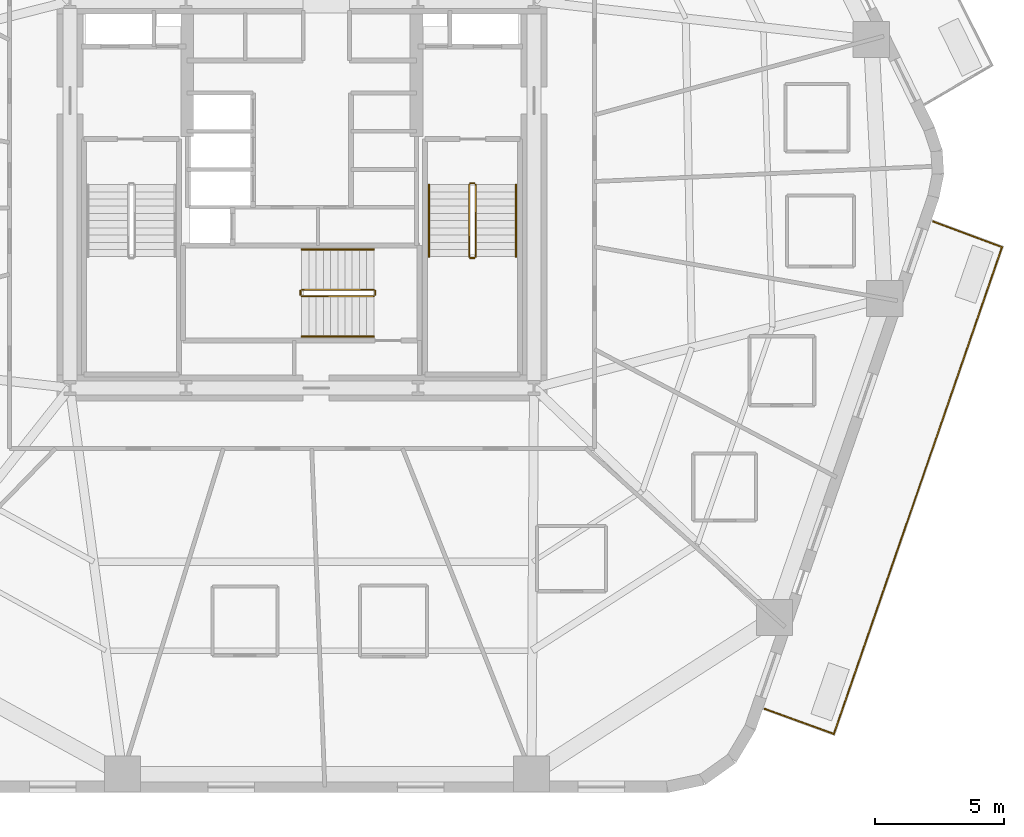
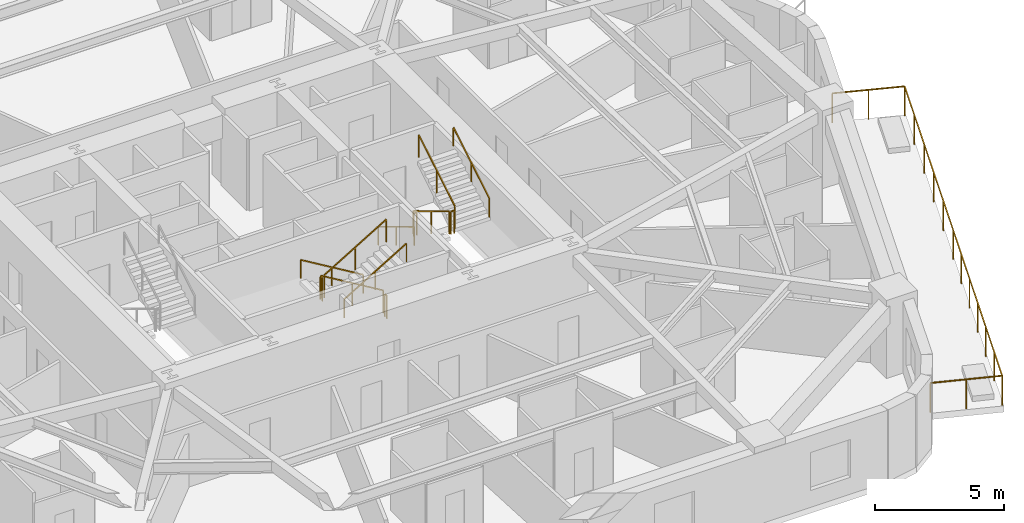
# One storey, part 9 of 10: 13 railings.
"""IFC4 building model written with IfcOpenShell, lengths in metres."""

from ifc_helpers import new_model, si_unit, direction, frame, origin, origin_2d, place, context, subcontext, project, spatial, rectangle, extrude, material, layer, layer_set, type_object, element, save


model = new_model("IFC4")

# Units and contexts
model_context = context("Model", 3, precision=1e-05, world=origin(), true_north=direction((0.0, 1.0)))
body_context = subcontext(model_context, "Body", "Model", "MODEL_VIEW")
ifc_project = project(units=[si_unit("LENGTHUNIT", "METRE"), si_unit("AREAUNIT", "SQUARE_METRE"), si_unit("VOLUMEUNIT", "CUBIC_METRE"), si_unit("PLANEANGLEUNIT", "RADIAN"), si_unit("MASSUNIT", "GRAM", prefix="KILO")], contexts=[model_context])

# Site, building, storey
site_placement = place(None, origin())
site = spatial("IfcSite", under=ifc_project, at=site_placement, CompositionType="ELEMENT")
building_placement = place(site_placement, origin())
building = spatial("IfcBuilding", under=site, at=building_placement, Name="Kilnhurst Terrace Hotel", CompositionType="ELEMENT")
storey_placement = place(building_placement, frame((0.0, 0.0, 45.300048828125)))
storey = spatial("IfcBuildingStorey", under=building, at=storey_placement, Name="L09", CompositionType="ELEMENT", Elevation=45.300048828125)

# Railings
ifc_material_1 = material(Name="Laminated SentryGlas and Stainless Steel AISI 316L Balustrade", Category="steel")
ifc_layer_1 = layer(ifc_material_1, 0.070068359375, Name="Laminated SentryGlas and Stainless Steel AISI 316L Balustrade")
ifc_layer_set_1 = layer_set([ifc_layer_1], Name="Laminated SentryGlas and Stainless Steel AISI 316L Balustrade")
railing_type_1 = type_object("IfcRailingType", Name="RLG-BAL-1420", PredefinedType="BALUSTRADE", material=ifc_layer_set_1)
railing_1_placement = place(storey_placement, frame((24.485107421875, -1.041748046875, 0.0)))
element("IfcRailing", 1, at=railing_1_placement, inside=storey, type_object=railing_type_1, Name="L09 Exterior Terrace Guardrail BAL-L1A.1", PredefinedType="BALUSTRADE", context=body_context, shape_type="SweptSolid", body=[
    extrude(rectangle(XDim=0.048095703125, YDim=0.048095703125, at=origin_2d()), frame((0.0, 0.0, 1.39599609375), z_axis=(0.937279097592, -0.348579823308, 0.0), x_axis=(0.348579823308, 0.937279097592, 0.0)), (0.0, 0.0, 1.0), 2.85205078125),
    extrude(rectangle(XDim=0.048095703125, YDim=0.048095703125, at=origin_2d()), frame((2.673095703125, -0.994140625, 1.39599609375), z_axis=(-0.326159116329, -0.945314884488, 0.0), x_axis=(0.945314884488, -0.326159116329, 0.0)), (0.0, 0.0, 1.0), 9.91650390625),
    extrude(rectangle(XDim=0.048095703125, YDim=0.048095703125, at=origin_2d()), frame((-0.561279296875, -10.368408203125, 1.39599609375), z_axis=(-0.326903959129, -0.945057565181, 0.0), x_axis=(0.945057565181, -0.326903959129, 0.0)), (0.0, 0.0, 1.0), 10.065673828125),
    extrude(rectangle(XDim=0.048095703125, YDim=0.048095703125, at=origin_2d()), frame((-3.851806640625, -19.881103515625, 1.39599609375), z_axis=(-0.939926315563, 0.341377388402, 0.0), x_axis=(-0.341377388402, -0.939926315563, 0.0)), (0.0, 0.0, 1.0), 2.84130859375),
    extrude(rectangle(XDim=0.0419921875, YDim=0.0419921875, at=origin_2d()), origin(), (0.0, 0.0, 1.0), 1.371826171875),
    extrude(rectangle(XDim=0.0419921875, YDim=0.0419921875, at=origin_2d()), frame((1.33642578125, -0.4970703125, 0.0)), (0.0, 0.0, 1.0), 1.371826171875),
    extrude(rectangle(XDim=0.0419921875, YDim=0.0419921875, at=origin_2d()), frame((2.673095703125, -0.994140625, 0.0)), (0.0, 0.0, 1.0), 1.371826171875),
    extrude(rectangle(XDim=0.0419921875, YDim=0.0419921875, at=origin_2d()), frame((2.026123046875, -2.868896484375, 0.0)), (0.0, 0.0, 1.0), 1.371826171875),
    extrude(rectangle(XDim=0.0419921875, YDim=0.0419921875, at=origin_2d()), frame((1.37939453125, -4.743896484375, 0.0)), (0.0, 0.0, 1.0), 1.371826171875),
    extrude(rectangle(XDim=0.0419921875, YDim=0.0419921875, at=origin_2d()), frame((0.732421875, -6.61865234375, 0.0)), (0.0, 0.0, 1.0), 1.371826171875),
    extrude(rectangle(XDim=0.0419921875, YDim=0.0419921875, at=origin_2d()), frame((0.085693359375, -8.49365234375, 0.0)), (0.0, 0.0, 1.0), 1.371826171875),
    extrude(rectangle(XDim=0.0419921875, YDim=0.0419921875, at=origin_2d()), frame((-0.561279296875, -10.368408203125, 0.0)), (0.0, 0.0, 1.0), 1.371826171875),
    extrude(rectangle(XDim=0.0419921875, YDim=0.0419921875, at=origin_2d()), frame((-1.109619140625, -11.953857421875, 0.0)), (0.0, 0.0, 1.0), 1.371826171875),
    extrude(rectangle(XDim=0.0419921875, YDim=0.0419921875, at=origin_2d()), frame((-1.658203125, -13.539306640625, 0.0)), (0.0, 0.0, 1.0), 1.371826171875),
    extrude(rectangle(XDim=0.0419921875, YDim=0.0419921875, at=origin_2d()), frame((-2.20654296875, -15.124755859375, 0.0)), (0.0, 0.0, 1.0), 1.371826171875),
    extrude(rectangle(XDim=0.0419921875, YDim=0.0419921875, at=origin_2d()), frame((-2.7548828125, -16.710205078125, 0.0)), (0.0, 0.0, 1.0), 1.371826171875),
    extrude(rectangle(XDim=0.0419921875, YDim=0.0419921875, at=origin_2d()), frame((-3.303466796875, -18.295654296875, 0.0)), (0.0, 0.0, 1.0), 1.371826171875),
    extrude(rectangle(XDim=0.0419921875, YDim=0.0419921875, at=origin_2d()), frame((-3.851806640625, -19.881103515625, 0.0)), (0.0, 0.0, 1.0), 1.371826171875),
    extrude(rectangle(XDim=0.0419921875, YDim=0.0419921875, at=origin_2d()), frame((-5.18701171875, -19.39599609375, 0.0)), (0.0, 0.0, 1.0), 1.371826171875),
    extrude(rectangle(XDim=0.0419921875, YDim=0.0419921875, at=origin_2d()), frame((-6.5224609375, -18.9111328125, 0.0)), (0.0, 0.0, 1.0), 1.371826171875),
])
ifc_material_2 = material(Name="Powder-Coated Steel ASTM A500 Grade B", Category="steel")
ifc_layer_2 = layer(ifc_material_2, 0.050048828125, Name="Powder-Coated Steel ASTM A500 Grade B")
ifc_layer_set_2 = layer_set([ifc_layer_2], Name="Powder-Coated Steel ASTM A500 Grade B")
railing_type_2 = type_object("IfcRailingType", Name="RLG-ST-GRD-1100", PredefinedType="GUARDRAIL", material=ifc_layer_set_2)
railing_2_placement = place(storey_placement, frame((6.489990234375, 0.389892578125, 0.168212890625)))
element("IfcRailing", 2, at=railing_2_placement, inside=storey, type_object=railing_type_2, Name="L09 ST-2 stair guard 1", PredefinedType="GUARDRAIL", context=body_context, shape_type="SweptSolid", body=[
    extrude(rectangle(XDim=0.048095703125, YDim=0.048095703125, at=origin_2d()), frame((0.0, 0.0, 1.076171875), z_axis=(0.0, -0.857255387014, 0.514891446264), x_axis=(1.0, 0.0, 0.0)), (0.0, 0.0, 1.0), 3.26611328125),
    extrude(rectangle(XDim=0.0419921875, YDim=0.0419921875, at=origin_2d()), origin(), (0.0, 0.0, 1.0), 1.052001953125),
    extrude(rectangle(XDim=0.0419921875, YDim=0.0419921875, at=origin_2d()), frame((0.0, -1.39990234375, 0.8408203125)), (0.0, 0.0, 1.0), 1.052001953125),
    extrude(rectangle(XDim=0.0419921875, YDim=0.0419921875, at=origin_2d()), frame((0.0, -2.7998046875, 1.681640625)), (0.0, 0.0, 1.0), 1.052001953125),
])
railing_3_placement = place(storey_placement, frame((6.5400390625, -2.4599609375, 1.849853515625)))
element("IfcRailing", 3, at=railing_3_placement, inside=storey, type_object=railing_type_2, Name="L09 ST-2 stair guard 2", PredefinedType="GUARDRAIL", context=body_context, shape_type="SweptSolid", body=[
    extrude(rectangle(XDim=0.048095703125, YDim=0.048095703125, at=origin_2d()), frame((0.0, 0.0, 1.076171875), z_axis=(1.0, 0.0, 0.0), x_axis=(0.0, 1.0, 0.0)), (0.0, 0.0, 1.0), 0.14990234375),
    extrude(rectangle(XDim=0.0419921875, YDim=0.0419921875, at=origin_2d()), origin(), (0.0, 0.0, 1.0), 1.052001953125),
    extrude(rectangle(XDim=0.0419921875, YDim=0.0419921875, at=origin_2d()), frame((0.14990234375, 0.0, 0.0)), (0.0, 0.0, 1.0), 1.052001953125),
])
railing_4_placement = place(storey_placement, frame((6.739990234375, -2.409912109375, 2.01806640625)))
element("IfcRailing", 4, at=railing_4_placement, inside=storey, type_object=railing_type_2, Name="L09 ST-2 stair guard 3", PredefinedType="GUARDRAIL", context=body_context, shape_type="SweptSolid", body=[
    extrude(rectangle(XDim=0.048095703125, YDim=0.048095703125, at=origin_2d()), frame((0.0, 0.0, 1.076171875), z_axis=(0.0, 0.857222391501, 0.514946377315), x_axis=(-1.0, 0.0, 0.0)), (0.0, 0.0, 1.0), 3.26611328125),
    extrude(rectangle(XDim=0.0419921875, YDim=0.0419921875, at=origin_2d()), origin(), (0.0, 0.0, 1.0), 1.052001953125),
    extrude(rectangle(XDim=0.0419921875, YDim=0.0419921875, at=origin_2d()), frame((0.0, 1.39990234375, 0.8408203125)), (0.0, 0.0, 1.0), 1.052001953125),
    extrude(rectangle(XDim=0.0419921875, YDim=0.0419921875, at=origin_2d()), frame((0.0, 2.7998046875, 1.681884765625)), (0.0, 0.0, 1.0), 1.052001953125),
])
railing_5_placement = place(storey_placement, frame((6.5400390625, 0.43994140625, 0.0)))
element("IfcRailing", 5, at=railing_5_placement, inside=storey, type_object=railing_type_2, Name="L09 ST-2 stair guard 4", PredefinedType="GUARDRAIL", context=body_context, shape_type="SweptSolid", body=[
    extrude(rectangle(XDim=0.048095703125, YDim=0.048095703125, at=origin_2d()), frame((0.0, 0.0, 1.076171875), z_axis=(1.0, 0.0, 0.0), x_axis=(0.0, 1.0, 0.0)), (0.0, 0.0, 1.0), 0.14990234375),
    extrude(rectangle(XDim=0.0419921875, YDim=0.0419921875, at=origin_2d()), origin(), (0.0, 0.0, 1.0), 1.052001953125),
    extrude(rectangle(XDim=0.0419921875, YDim=0.0419921875, at=origin_2d()), frame((0.14990234375, 0.0, 0.0)), (0.0, 0.0, 1.0), 1.052001953125),
])
railing_6_placement = place(storey_placement, frame((2.7900390625, -3.68994140625, 0.168212890625)))
element("IfcRailing", 6, at=railing_6_placement, inside=storey, type_object=railing_type_2, Name="L09 ST-3 stair guard 1", PredefinedType="GUARDRAIL", context=body_context, shape_type="SweptSolid", body=[
    extrude(rectangle(XDim=0.048095703125, YDim=0.048095703125, at=origin_2d()), frame((0.0, 0.0, 1.076171875), z_axis=(-0.857275202839, 0.0, 0.514858452973), x_axis=(0.0, -1.0, 0.0)), (0.0, 0.0, 1.0), 3.26611328125),
    extrude(rectangle(XDim=0.0419921875, YDim=0.0419921875, at=origin_2d()), origin(), (0.0, 0.0, 1.0), 1.052001953125),
    extrude(rectangle(XDim=0.0419921875, YDim=0.0419921875, at=origin_2d()), frame((-1.39990234375, 0.0, 0.8408203125)), (0.0, 0.0, 1.0), 1.052001953125),
    extrude(rectangle(XDim=0.0419921875, YDim=0.0419921875, at=origin_2d()), frame((-2.800048828125, 0.0, 1.681640625)), (0.0, 0.0, 1.0), 1.052001953125),
])
railing_7_placement = place(storey_placement, frame((-0.06005859375, -3.739990234375, 1.849853515625)))
element("IfcRailing", 7, at=railing_7_placement, inside=storey, type_object=railing_type_2, Name="L09 ST-3 stair guard 2", PredefinedType="GUARDRAIL", context=body_context, shape_type="SweptSolid", body=[
    extrude(rectangle(XDim=0.048095703125, YDim=0.048095703125, at=origin_2d()), frame((0.0, 0.0, 1.076171875), z_axis=(0.0, -1.0, 0.0), x_axis=(1.0, 0.0, 0.0)), (0.0, 0.0, 1.0), 0.14990234375),
    extrude(rectangle(XDim=0.0419921875, YDim=0.0419921875, at=origin_2d()), origin(), (0.0, 0.0, 1.0), 1.052001953125),
    extrude(rectangle(XDim=0.0419921875, YDim=0.0419921875, at=origin_2d()), frame((0.0, -0.14990234375, 0.0)), (0.0, 0.0, 1.0), 1.052001953125),
])
railing_8_placement = place(storey_placement, frame((-0.010009765625, -3.93994140625, 2.01806640625)))
element("IfcRailing", 8, at=railing_8_placement, inside=storey, type_object=railing_type_2, Name="L09 ST-3 stair guard 3", PredefinedType="GUARDRAIL", context=body_context, shape_type="SweptSolid", body=[
    extrude(rectangle(XDim=0.048095703125, YDim=0.048095703125, at=origin_2d()), frame((0.0, 0.0, 1.076171875), z_axis=(0.857242210791, 0.0, 0.514913383045), x_axis=(0.0, 1.0, 0.0)), (0.0, 0.0, 1.0), 3.266357421875),
    extrude(rectangle(XDim=0.0419921875, YDim=0.0419921875, at=origin_2d()), origin(), (0.0, 0.0, 1.0), 1.052001953125),
    extrude(rectangle(XDim=0.0419921875, YDim=0.0419921875, at=origin_2d()), frame((1.39990234375, 0.0, 0.8408203125)), (0.0, 0.0, 1.0), 1.052001953125),
    extrude(rectangle(XDim=0.0419921875, YDim=0.0419921875, at=origin_2d()), frame((2.800048828125, 0.0, 1.681884765625)), (0.0, 0.0, 1.0), 1.052001953125),
])
railing_9_placement = place(storey_placement, frame((2.840087890625, -3.739990234375, 0.0)))
element("IfcRailing", 9, at=railing_9_placement, inside=storey, type_object=railing_type_2, Name="L09 ST-3 stair guard 4", PredefinedType="GUARDRAIL", context=body_context, shape_type="SweptSolid", body=[
    extrude(rectangle(XDim=0.048095703125, YDim=0.048095703125, at=origin_2d()), frame((0.0, 0.0, 1.076171875), z_axis=(0.0, -1.0, 0.0), x_axis=(1.0, 0.0, 0.0)), (0.0, 0.0, 1.0), 0.14990234375),
    extrude(rectangle(XDim=0.0419921875, YDim=0.0419921875, at=origin_2d()), origin(), (0.0, 0.0, 1.0), 1.052001953125),
    extrude(rectangle(XDim=0.0419921875, YDim=0.0419921875, at=origin_2d()), frame((0.0, -0.14990234375, 0.0)), (0.0, 0.0, 1.0), 1.052001953125),
])
ifc_material_3 = material(Name="Brushed Stainless Steel AISI 304", Category="steel")
ifc_layer_3 = layer(ifc_material_3, 0.048095703125, Name="Brushed Stainless Steel AISI 304")
ifc_layer_set_3 = layer_set([ifc_layer_3], Name="Brushed Stainless Steel AISI 304")
railing_type_3 = type_object("IfcRailingType", Name="RLG-ST-HRL-900", PredefinedType="HANDRAIL", material=ifc_layer_set_3)
railing_10_placement = place(storey_placement, frame((4.929931640625, 0.389892578125, 0.168212890625)))
element("IfcRailing", 10, at=railing_10_placement, inside=storey, type_object=railing_type_3, Name="L09 ST-2 stair handrail 1", PredefinedType="HANDRAIL", context=body_context, shape_type="SweptSolid", body=[
    extrude(rectangle(XDim=0.048095703125, YDim=0.048095703125, at=origin_2d()), frame((0.0, 0.0, 0.8759765625), z_axis=(0.0, -0.857255387014, 0.514891446264), x_axis=(1.0, 0.0, 0.0)), (0.0, 0.0, 1.0), 3.26611328125),
    extrude(rectangle(XDim=0.0419921875, YDim=0.0419921875, at=origin_2d()), origin(), (0.0, 0.0, 1.0), 0.851806640625),
    extrude(rectangle(XDim=0.0419921875, YDim=0.0419921875, at=origin_2d()), frame((0.0, -1.39990234375, 0.8408203125)), (0.0, 0.0, 1.0), 0.851806640625),
    extrude(rectangle(XDim=0.0419921875, YDim=0.0419921875, at=origin_2d()), frame((0.0, -2.7998046875, 1.681640625)), (0.0, 0.0, 1.0), 0.851806640625),
])
railing_11_placement = place(storey_placement, frame((8.300048828125, -2.409912109375, 2.01806640625)))
element("IfcRailing", 11, at=railing_11_placement, inside=storey, type_object=railing_type_3, Name="L09 ST-2 stair handrail 2", PredefinedType="HANDRAIL", context=body_context, shape_type="SweptSolid", body=[
    extrude(rectangle(XDim=0.048095703125, YDim=0.048095703125, at=origin_2d()), frame((0.0, 0.0, 0.8759765625), z_axis=(0.0, 0.857222391501, 0.514946377315), x_axis=(-1.0, 0.0, 0.0)), (0.0, 0.0, 1.0), 3.26611328125),
    extrude(rectangle(XDim=0.0419921875, YDim=0.0419921875, at=origin_2d()), origin(), (0.0, 0.0, 1.0), 0.851806640625),
    extrude(rectangle(XDim=0.0419921875, YDim=0.0419921875, at=origin_2d()), frame((0.0, 1.39990234375, 0.8408203125)), (0.0, 0.0, 1.0), 0.851806640625),
    extrude(rectangle(XDim=0.0419921875, YDim=0.0419921875, at=origin_2d()), frame((0.0, 2.7998046875, 1.681884765625)), (0.0, 0.0, 1.0), 0.851806640625),
])
railing_12_placement = place(storey_placement, frame((2.7900390625, -2.1298828125, 0.168212890625)))
element("IfcRailing", 12, at=railing_12_placement, inside=storey, type_object=railing_type_3, Name="L09 ST-3 stair handrail 1", PredefinedType="HANDRAIL", context=body_context, shape_type="SweptSolid", body=[
    extrude(rectangle(XDim=0.048095703125, YDim=0.048095703125, at=origin_2d()), frame((0.0, 0.0, 0.8759765625), z_axis=(-0.857275202839, 0.0, 0.514858452973), x_axis=(0.0, -1.0, 0.0)), (0.0, 0.0, 1.0), 3.26611328125),
    extrude(rectangle(XDim=0.0419921875, YDim=0.0419921875, at=origin_2d()), origin(), (0.0, 0.0, 1.0), 0.851806640625),
    extrude(rectangle(XDim=0.0419921875, YDim=0.0419921875, at=origin_2d()), frame((-1.39990234375, 0.0, 0.8408203125)), (0.0, 0.0, 1.0), 0.851806640625),
    extrude(rectangle(XDim=0.0419921875, YDim=0.0419921875, at=origin_2d()), frame((-2.800048828125, 0.0, 1.681640625)), (0.0, 0.0, 1.0), 0.851806640625),
])
railing_13_placement = place(storey_placement, frame((-0.010009765625, -5.5, 2.01806640625)))
element("IfcRailing", 13, at=railing_13_placement, inside=storey, type_object=railing_type_3, Name="L09 ST-3 stair handrail 2", PredefinedType="HANDRAIL", context=body_context, shape_type="SweptSolid", body=[
    extrude(rectangle(XDim=0.048095703125, YDim=0.048095703125, at=origin_2d()), frame((0.0, 0.0, 0.8759765625), z_axis=(0.857242210791, 0.0, 0.514913383045), x_axis=(0.0, 1.0, 0.0)), (0.0, 0.0, 1.0), 3.266357421875),
    extrude(rectangle(XDim=0.0419921875, YDim=0.0419921875, at=origin_2d()), origin(), (0.0, 0.0, 1.0), 0.851806640625),
    extrude(rectangle(XDim=0.0419921875, YDim=0.0419921875, at=origin_2d()), frame((1.39990234375, 0.0, 0.8408203125)), (0.0, 0.0, 1.0), 0.851806640625),
    extrude(rectangle(XDim=0.0419921875, YDim=0.0419921875, at=origin_2d()), frame((2.800048828125, 0.0, 1.681884765625)), (0.0, 0.0, 1.0), 0.851806640625),
])

save(model, "model.ifc")
